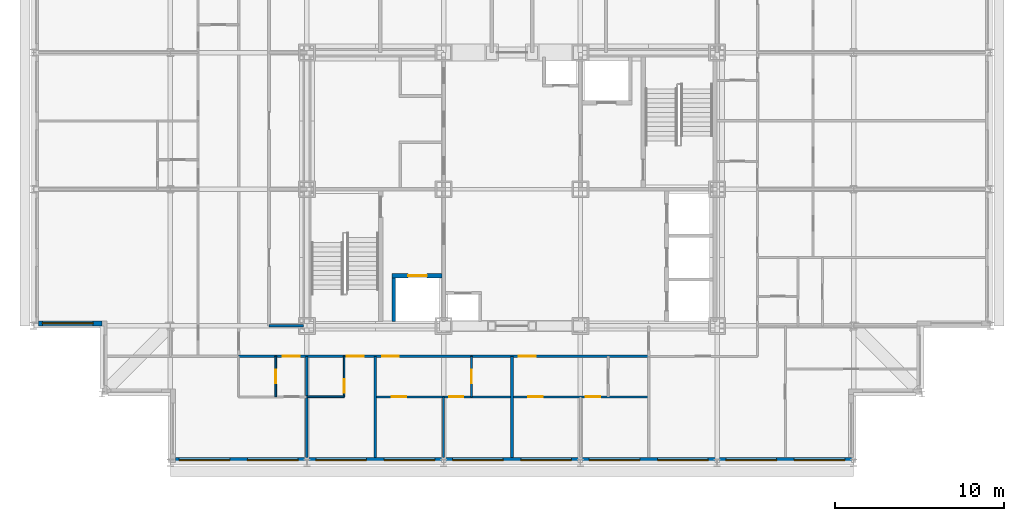
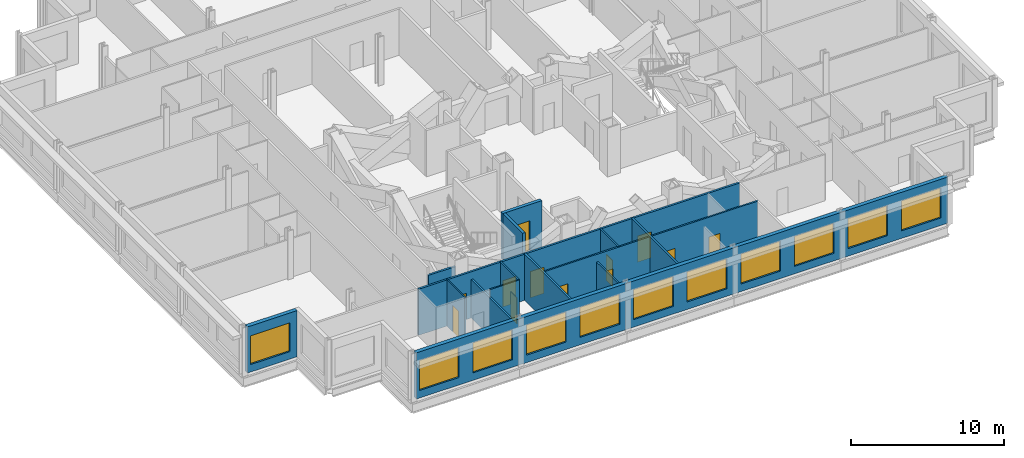
# One storey, part 7 of 15: 15 walls, 12 doors, 11 windows, 23 openings.
"""IFC4 building model written with IfcOpenShell, lengths in metres."""

from ifc_helpers import new_model, si_unit, direction, frame, frame_2d, origin, place, context, subcontext, project, spatial, rectangle, extrude, material, layer, layer_set, type_object, element, fill, save


model = new_model("IFC4")

# Units and contexts
model_context = context("Model", 3, precision=1e-05, world=origin(), true_north=direction((0.0, 1.0)))
body_context = subcontext(model_context, "Body", "Model", "MODEL_VIEW")
ifc_project = project(units=[si_unit("LENGTHUNIT", "METRE"), si_unit("AREAUNIT", "SQUARE_METRE"), si_unit("VOLUMEUNIT", "CUBIC_METRE"), si_unit("PLANEANGLEUNIT", "RADIAN"), si_unit("MASSUNIT", "GRAM", prefix="KILO")], contexts=[model_context])

# Site, building, storey
site_placement = place(None, origin())
site = spatial("IfcSite", under=ifc_project, at=site_placement, CompositionType="ELEMENT")
building_placement = place(site_placement, origin())
building = spatial("IfcBuilding", under=site, at=building_placement, Name="Kopane Lantern Tower", CompositionType="ELEMENT")
storey_placement = place(building_placement, frame((0.0, 0.0, 246.300048828125)))
storey = spatial("IfcBuildingStorey", under=building, at=storey_placement, Name="L63", CompositionType="ELEMENT", Elevation=246.300048828125)

# Wall, openings, doors
ifc_material_1 = material(Name="Gypsum board on steel studs", Category="steel")
ifc_layer_1 = layer(ifc_material_1, 0.1201171875)
ifc_layer_set_1 = layer_set([ifc_layer_1], Name="APARTMENT INTERNAL WALL 120")
wall_type_1 = type_object("IfcWallType", Name="APARTMENT INTERNAL WALL 120", PredefinedType="PARTITIONING", material=ifc_layer_set_1)
wall_1_placement = place(storey_placement, frame((20.25, 20.10009765625, 0.0), z_axis=(0.0, 0.0, 1.0), x_axis=(1.0, 0.0, 0.0)))
wall_1 = element("IfcWall", 1, at=wall_1_placement, inside=storey, type_object=wall_type_1, Name="Apartment Internal Wall 120 L63", PredefinedType="PARTITIONING", context=body_context, shape_type="SweptSolid", body=[
    extrude(rectangle(XDim=16.199951171875, YDim=0.1201171875, at=frame_2d((8.10009765625, 0.0))), origin(), (0.0, 0.0, 1.0), 3.68994140625),
])
opening_1_placement = place(wall_1_placement, frame((0.97509765625, 0.0, 0.0)))
opening_1 = element("IfcOpeningElement", 2, at=opening_1_placement, cuts=wall_1, Name="Opening L63-012", PredefinedType="OPENING", context=body_context, shape_type="SweptSolid", body=[
    extrude(rectangle(XDim=0.85009765625, YDim=2.10009765625, at=frame_2d((0.425048828125, 1.050048828125))), frame((0.0, 0.070068359375, 0.0), z_axis=(0.0, -1.0, 0.0), x_axis=(1.0, 0.0, 0.0)), (0.0, 0.0, 1.0), 0.14013671875),
])
opening_2_placement = place(wall_1_placement, frame((4.375, 0.0, 0.0)))
opening_2 = element("IfcOpeningElement", 3, at=opening_2_placement, cuts=wall_1, Name="Opening L63-013", PredefinedType="OPENING", context=body_context, shape_type="SweptSolid", body=[
    extrude(rectangle(XDim=0.85009765625, YDim=2.10009765625, at=frame_2d((0.425048828125, 1.050048828125))), frame((0.0, 0.070068359375, 0.0), z_axis=(0.0, -1.0, 0.0), x_axis=(1.0, 0.0, 0.0)), (0.0, 0.0, 1.0), 0.14013671875),
])
opening_3_placement = place(wall_1_placement, frame((9.074951171875, 0.0, 0.0)))
opening_3 = element("IfcOpeningElement", 4, at=opening_3_placement, cuts=wall_1, Name="Opening L63-016", PredefinedType="OPENING", context=body_context, shape_type="SweptSolid", body=[
    extrude(rectangle(XDim=0.85009765625, YDim=2.10009765625, at=frame_2d((0.425048828125, 1.050048828125))), frame((0.0, 0.070068359375, 0.0), z_axis=(0.0, -1.0, 0.0), x_axis=(1.0, 0.0, 0.0)), (0.0, 0.0, 1.0), 0.14013671875),
])
opening_4_placement = place(wall_1_placement, frame((12.47509765625, 0.0, 0.0)))
opening_4 = element("IfcOpeningElement", 5, at=opening_4_placement, cuts=wall_1, Name="Opening L63-017", PredefinedType="OPENING", context=body_context, shape_type="SweptSolid", body=[
    extrude(rectangle(XDim=0.85009765625, YDim=2.10009765625, at=frame_2d((0.425048828125, 1.050048828125))), frame((0.0, 0.070068359375, 0.0), z_axis=(0.0, -1.0, 0.0), x_axis=(1.0, 0.0, 0.0)), (0.0, 0.0, 1.0), 0.14013671875),
])
ifc_material_2 = material(Name="Timber door set", Category="wood")
door_type_1 = type_object("IfcDoorType", Name="DOOR D4 850x2100", OperationType="SINGLE_SWING_LEFT", PredefinedType="DOOR", material=ifc_material_2)
door_1_placement = place(opening_1_placement, origin())
door_1 = element("IfcDoor", 6, at=door_1_placement, inside=storey, type_object=door_type_1, Name="Door L63-012", OperationType="SINGLE_SWING_LEFT", OverallHeight=2.10009765625, OverallWidth=0.85009765625, PredefinedType="DOOR", context=body_context, shape_type="SweptSolid", body=[
    extrude(rectangle(XDim=0.85009765625, YDim=2.10009765625, at=frame_2d((0.425048828125, 1.050048828125))), frame((0.0, 0.02490234375, 0.0), z_axis=(0.0, -1.0, 0.0), x_axis=(1.0, 0.0, 0.0)), (0.0, 0.0, 1.0), 0.050048828125),
])
fill(opening_1, door_1)
door_2_placement = place(opening_2_placement, origin())
door_2 = element("IfcDoor", 7, at=door_2_placement, inside=storey, type_object=door_type_1, Name="Door L63-013", OperationType="SINGLE_SWING_RIGHT", OverallHeight=2.10009765625, OverallWidth=0.85009765625, PredefinedType="DOOR", context=body_context, shape_type="SweptSolid", body=[
    extrude(rectangle(XDim=0.85009765625, YDim=2.10009765625, at=frame_2d((0.425048828125, 1.050048828125))), frame((0.0, 0.02490234375, 0.0), z_axis=(0.0, -1.0, 0.0), x_axis=(1.0, 0.0, 0.0)), (0.0, 0.0, 1.0), 0.050048828125),
])
fill(opening_2, door_2)
door_3_placement = place(opening_3_placement, origin())
door_3 = element("IfcDoor", 8, at=door_3_placement, inside=storey, type_object=door_type_1, Name="Door L63-016", OperationType="SINGLE_SWING_LEFT", OverallHeight=2.10009765625, OverallWidth=0.85009765625, PredefinedType="DOOR", context=body_context, shape_type="SweptSolid", body=[
    extrude(rectangle(XDim=0.85009765625, YDim=2.10009765625, at=frame_2d((0.425048828125, 1.050048828125))), frame((0.0, 0.02490234375, 0.0), z_axis=(0.0, -1.0, 0.0), x_axis=(1.0, 0.0, 0.0)), (0.0, 0.0, 1.0), 0.050048828125),
])
fill(opening_3, door_3)
door_4_placement = place(opening_4_placement, origin())
door_4 = element("IfcDoor", 9, at=door_4_placement, inside=storey, type_object=door_type_1, Name="Door L63-017", OperationType="SINGLE_SWING_RIGHT", OverallHeight=2.10009765625, OverallWidth=0.85009765625, PredefinedType="DOOR", context=body_context, shape_type="SweptSolid", body=[
    extrude(rectangle(XDim=0.85009765625, YDim=2.10009765625, at=frame_2d((0.425048828125, 1.050048828125))), frame((0.0, 0.02490234375, 0.0), z_axis=(0.0, -1.0, 0.0), x_axis=(1.0, 0.0, 0.0)), (0.0, 0.0, 1.0), 0.050048828125),
])
fill(opening_4, door_4)

# Walls
wall_2_placement = place(storey_placement, frame((24.300048828125, 20.10009765625, 0.0), z_axis=(0.0, 0.0, 1.0), x_axis=(0.0, -1.0, 0.0)))
element("IfcWall", 10, at=wall_2_placement, inside=storey, type_object=wall_type_1, Name="Apartment Internal Wall 120 L63", PredefinedType="PARTITIONING", context=body_context, shape_type="SweptSolid", body=[
    extrude(rectangle(XDim=3.60009765625, YDim=0.1201171875, at=frame_2d((1.800048828125, 0.0))), origin(), (0.0, 0.0, 1.0), 3.07763671875),
])
ifc_material_3 = material(Name="Moisture-resistant board on steel studs", Category="steel")
ifc_layer_2 = layer(ifc_material_3, 0.10009765625)
ifc_layer_set_2 = layer_set([ifc_layer_2], Name="BATHROOM WALL 100")
wall_type_2 = type_object("IfcWallType", Name="BATHROOM WALL 100", PredefinedType="PARTITIONING", material=ifc_layer_set_2)
wall_3_placement = place(storey_placement, frame((16.199951171875, 20.10009765625, 0.0), z_axis=(0.0, 0.0, 1.0), x_axis=(1.0, 0.0, 0.0)))
element("IfcWall", 11, at=wall_3_placement, inside=storey, type_object=wall_type_2, Name="Bathroom Wall 100 L63", PredefinedType="PARTITIONING", context=body_context, shape_type="SweptSolid", body=[
    extrude(rectangle(XDim=2.199951171875, YDim=0.10009765625, at=frame_2d((1.10009765625, 0.0))), origin(), (0.0, 0.0, 1.0), 3.68994140625),
])

# Wall, opening, door
wall_4_placement = place(storey_placement, frame((18.39990234375, 22.5, 0.0), z_axis=(0.0, 0.0, 1.0), x_axis=(0.0, -1.0, 0.0)))
wall_4 = element("IfcWall", 12, at=wall_4_placement, inside=storey, type_object=wall_type_2, Name="Bathroom Wall 100 L63", PredefinedType="PARTITIONING", context=body_context, shape_type="SweptSolid", body=[
    extrude(rectangle(XDim=2.39990234375, YDim=0.10009765625, at=frame_2d((1.199951171875, 0.0))), origin(), (0.0, 0.0, 1.0), 3.68994140625),
])
opening_5_placement = place(wall_4_placement, frame((1.35009765625, 0.0, 0.0)))
opening_5 = element("IfcOpeningElement", 13, at=opening_5_placement, cuts=wall_4, Name="Opening L63-008", PredefinedType="OPENING", context=body_context, shape_type="SweptSolid", body=[
    extrude(rectangle(XDim=0.800048828125, YDim=2.10009765625, at=frame_2d((0.39990234375, 1.050048828125))), frame((0.0, 0.06005859375, 0.0), z_axis=(0.0, -1.0, 0.0), x_axis=(1.0, 0.0, 0.0)), (0.0, 0.0, 1.0), 0.1201171875),
])
ifc_material_4 = material(Name="Timber door set", Category="wood")
door_type_2 = type_object("IfcDoorType", Name="DOOR D2 800x2100", OperationType="SINGLE_SWING_LEFT", PredefinedType="DOOR", material=ifc_material_4)
door_5_placement = place(opening_5_placement, origin())
door_5 = element("IfcDoor", 14, at=door_5_placement, inside=storey, type_object=door_type_2, Name="Door L63-008", OperationType="SINGLE_SWING_LEFT", OverallHeight=2.10009765625, OverallWidth=0.800048828125, PredefinedType="DOOR", context=body_context, shape_type="SweptSolid", body=[
    extrude(rectangle(XDim=0.800048828125, YDim=2.10009765625, at=frame_2d((0.39990234375, 1.050048828125))), frame((0.0, 0.02490234375, 0.0), z_axis=(0.0, -1.0, 0.0), x_axis=(1.0, 0.0, 0.0)), (0.0, 0.0, 1.0), 0.050048828125),
])
fill(opening_5, door_5)

wall_5_placement = place(storey_placement, frame((25.949951171875, 22.5, 0.0), z_axis=(0.0, 0.0, 1.0), x_axis=(0.0, -1.0, 0.0)))
wall_5 = element("IfcWall", 15, at=wall_5_placement, inside=storey, type_object=wall_type_2, Name="Bathroom Wall 100 L63", PredefinedType="PARTITIONING", context=body_context, shape_type="SweptSolid", body=[
    extrude(rectangle(XDim=2.39990234375, YDim=0.10009765625, at=frame_2d((1.199951171875, 0.0))), origin(), (0.0, 0.0, 1.0), 3.68994140625),
])
opening_6_placement = place(wall_5_placement, frame((0.800048828125, 0.0, 0.0)))
opening_6 = element("IfcOpeningElement", 16, at=opening_6_placement, cuts=wall_5, Name="Opening L63-010", PredefinedType="OPENING", context=body_context, shape_type="SweptSolid", body=[
    extrude(rectangle(XDim=0.800048828125, YDim=2.10009765625, at=frame_2d((0.39990234375, 1.050048828125))), frame((0.0, 0.06005859375, 0.0), z_axis=(0.0, -1.0, 0.0), x_axis=(1.0, 0.0, 0.0)), (0.0, 0.0, 1.0), 0.1201171875),
])
door_6_placement = place(opening_6_placement, origin())
door_6 = element("IfcDoor", 17, at=door_6_placement, inside=storey, type_object=door_type_2, Name="Door L63-010", OperationType="SINGLE_SWING_LEFT", OverallHeight=2.10009765625, OverallWidth=0.800048828125, PredefinedType="DOOR", context=body_context, shape_type="SweptSolid", body=[
    extrude(rectangle(XDim=0.800048828125, YDim=2.10009765625, at=frame_2d((0.39990234375, 1.050048828125))), frame((0.0, 0.02490234375, 0.0), z_axis=(0.0, -1.0, 0.0), x_axis=(1.0, 0.0, 0.0)), (0.0, 0.0, 1.0), 0.050048828125),
])
fill(opening_6, door_6)

wall_6_placement = place(storey_placement, frame((14.35009765625, 22.5, 0.0), z_axis=(0.0, 0.0, 1.0), x_axis=(0.0, -1.0, 0.0)))
wall_6 = element("IfcWall", 18, at=wall_6_placement, inside=storey, type_object=wall_type_2, Name="Bathroom Wall 100 L63", PredefinedType="PARTITIONING", context=body_context, shape_type="SweptSolid", body=[
    extrude(rectangle(XDim=2.39990234375, YDim=0.10009765625, at=frame_2d((1.199951171875, 0.0))), origin(), (0.0, 0.0, 1.0), 3.68994140625),
])
opening_7_placement = place(wall_6_placement, frame((0.800048828125, 0.0, 0.0)))
opening_7 = element("IfcOpeningElement", 19, at=opening_7_placement, cuts=wall_6, Name="Opening L63-036", PredefinedType="OPENING", context=body_context, shape_type="SweptSolid", body=[
    extrude(rectangle(XDim=0.800048828125, YDim=2.10009765625, at=frame_2d((0.39990234375, 1.050048828125))), frame((0.0, 0.06005859375, 0.0), z_axis=(0.0, -1.0, 0.0), x_axis=(1.0, 0.0, 0.0)), (0.0, 0.0, 1.0), 0.1201171875),
])
door_7_placement = place(opening_7_placement, origin())
door_7 = element("IfcDoor", 20, at=door_7_placement, inside=storey, type_object=door_type_2, Name="Door L63-036", OperationType="SINGLE_SWING_RIGHT", OverallHeight=2.10009765625, OverallWidth=0.800048828125, PredefinedType="DOOR", context=body_context, shape_type="SweptSolid", body=[
    extrude(rectangle(XDim=0.800048828125, YDim=2.10009765625, at=frame_2d((0.39990234375, 1.050048828125))), frame((0.0, 0.02490234375, 0.0), z_axis=(0.0, -1.0, 0.0), x_axis=(1.0, 0.0, 0.0)), (0.0, 0.0, 1.0), 0.050048828125),
])
fill(opening_7, door_7)

ifc_material_5 = material(Name="Gypsum shaft wall EI 120", Category="gypsum")
ifc_layer_3 = layer(ifc_material_5, 0.25)
ifc_layer_set_3 = layer_set([ifc_layer_3], Name="CORE SHAFT WALL 250 EI 120")
wall_type_3 = type_object("IfcWallType", Name="CORE SHAFT WALL 250 EI 120", PredefinedType="SOLIDWALL", material=ifc_layer_set_3)
wall_7_placement = place(storey_placement, frame((21.25, 27.27490234375, 0.0), z_axis=(0.0, 0.0, 1.0), x_axis=(1.0, 0.0, 0.0)))
wall_7 = element("IfcWall", 21, at=wall_7_placement, inside=storey, type_object=wall_type_3, Name="Core shaft wall L63 YLF1", PredefinedType="SOLIDWALL", context=body_context, shape_type="SweptSolid", body=[
    extrude(rectangle(XDim=2.949951171875, YDim=0.25, at=frame_2d((1.47509765625, 0.0))), origin(), (0.0, 0.0, 1.0), 3.68994140625),
])
opening_8_placement = place(wall_7_placement, frame((0.949951171875, 0.0, 0.0)))
opening_8 = element("IfcOpeningElement", 22, at=opening_8_placement, cuts=wall_7, Name="Opening 63.LD-LF1", PredefinedType="OPENING", context=body_context, shape_type="SweptSolid", body=[
    extrude(rectangle(XDim=1.10009765625, YDim=2.39990234375, at=frame_2d((0.550048828125, 1.199951171875))), frame((0.0, 0.135009765625, 0.0), z_axis=(0.0, -1.0, 0.0), x_axis=(1.0, 0.0, 0.0)), (0.0, 0.0, 1.0), 0.27001953125),
])
ifc_material_6 = material(Name="Steel door set", Category="steel")
door_type_3 = type_object("IfcDoorType", Name="LIFT LANDING DOOR 1100x2400 FD60", OperationType="DOUBLE_DOOR_SLIDING", PredefinedType="DOOR", material=ifc_material_6)
door_8_placement = place(opening_8_placement, origin())
door_8 = element("IfcDoor", 23, at=door_8_placement, inside=storey, type_object=door_type_3, Name="Landing door LF1 L63", OperationType="DOUBLE_DOOR_SLIDING", OverallHeight=2.39990234375, OverallWidth=1.10009765625, PredefinedType="DOOR", context=body_context, shape_type="SweptSolid", body=[
    extrude(rectangle(XDim=1.10009765625, YDim=2.39990234375, at=frame_2d((0.550048828125, 1.199951171875))), frame((0.0, 0.02490234375, 0.0), z_axis=(0.0, -1.0, 0.0), x_axis=(1.0, 0.0, 0.0)), (0.0, 0.0, 1.0), 0.050048828125),
])
fill(opening_8, door_8)

# Wall, openings, doors
ifc_material_7 = material(Name="Gypsum board on steel studs", Category="steel")
ifc_layer_4 = layer(ifc_material_7, 0.14990234375)
ifc_layer_set_4 = layer_set([ifc_layer_4], Name="CORRIDOR WALL 150 EI 60")
wall_type_4 = type_object("IfcWallType", Name="CORRIDOR WALL 150 EI 60", PredefinedType="PARTITIONING", material=ifc_layer_set_4)
wall_8_placement = place(storey_placement, frame((12.14990234375, 22.5, 0.0), z_axis=(0.0, 0.0, 1.0), x_axis=(1.0, 0.0, 0.0)))
wall_8 = element("IfcWall", 24, at=wall_8_placement, inside=storey, type_object=wall_type_4, Name="Corridor Wall 150 Ei 60 L63", PredefinedType="PARTITIONING", context=body_context, shape_type="SweptSolid", body=[
    extrude(rectangle(XDim=24.300048828125, YDim=0.14990234375, at=frame_2d((12.14990234375, 0.0))), origin(), (0.0, 0.0, 1.0), 3.68994140625),
])
opening_9_placement = place(wall_8_placement, frame((6.39990234375, 0.0, 0.0)))
opening_9 = element("IfcOpeningElement", 25, at=opening_9_placement, cuts=wall_8, Name="Opening L63-009", PredefinedType="OPENING", context=body_context, shape_type="SweptSolid", body=[
    extrude(rectangle(XDim=1.0, YDim=2.10009765625, at=frame_2d((0.5, 1.050048828125))), frame((0.0, 0.0849609375, 0.0), z_axis=(0.0, -1.0, 0.0), x_axis=(1.0, 0.0, 0.0)), (0.0, 0.0, 1.0), 0.169921875),
])
opening_10_placement = place(wall_8_placement, frame((8.5, 0.0, 0.0)))
opening_10 = element("IfcOpeningElement", 26, at=opening_10_placement, cuts=wall_8, Name="Opening L63-011", PredefinedType="OPENING", context=body_context, shape_type="SweptSolid", body=[
    extrude(rectangle(XDim=1.0, YDim=2.10009765625, at=frame_2d((0.5, 1.050048828125))), frame((0.0, 0.0849609375, 0.0), z_axis=(0.0, -1.0, 0.0), x_axis=(1.0, 0.0, 0.0)), (0.0, 0.0, 1.0), 0.169921875),
])
opening_11_placement = place(wall_8_placement, frame((16.60009765625, 0.0, 0.0)))
opening_11 = element("IfcOpeningElement", 27, at=opening_11_placement, cuts=wall_8, Name="Opening L63-015", PredefinedType="OPENING", context=body_context, shape_type="SweptSolid", body=[
    extrude(rectangle(XDim=1.0, YDim=2.10009765625, at=frame_2d((0.5, 1.050048828125))), frame((0.0, 0.0849609375, 0.0), z_axis=(0.0, -1.0, 0.0), x_axis=(1.0, 0.0, 0.0)), (0.0, 0.0, 1.0), 0.169921875),
])
opening_12_placement = place(wall_8_placement, frame((2.625, 0.0, 0.0)))
opening_12 = element("IfcOpeningElement", 28, at=opening_12_placement, cuts=wall_8, Name="Opening L63-037", PredefinedType="OPENING", context=body_context, shape_type="SweptSolid", body=[
    extrude(rectangle(XDim=1.0, YDim=2.10009765625, at=frame_2d((0.5, 1.050048828125))), frame((0.0, 0.0849609375, 0.0), z_axis=(0.0, -1.0, 0.0), x_axis=(1.0, 0.0, 0.0)), (0.0, 0.0, 1.0), 0.169921875),
])
ifc_material_8 = material(Name="Steel door set", Category="steel")
door_type_4 = type_object("IfcDoorType", Name="DOOR D3 1000x2100 FD30S", OperationType="SINGLE_SWING_LEFT", PredefinedType="DOOR", material=ifc_material_8)
door_9_placement = place(opening_9_placement, origin())
door_9 = element("IfcDoor", 29, at=door_9_placement, inside=storey, type_object=door_type_4, Name="Door L63-009", OperationType="SINGLE_SWING_RIGHT", OverallHeight=2.10009765625, OverallWidth=1.0, PredefinedType="DOOR", context=body_context, shape_type="SweptSolid", body=[
    extrude(rectangle(XDim=1.0, YDim=2.10009765625, at=frame_2d((0.5, 1.050048828125))), frame((0.0, 0.02490234375, 0.0), z_axis=(0.0, -1.0, 0.0), x_axis=(1.0, 0.0, 0.0)), (0.0, 0.0, 1.0), 0.050048828125),
])
fill(opening_9, door_9)
door_10_placement = place(opening_10_placement, origin())
door_10 = element("IfcDoor", 30, at=door_10_placement, inside=storey, type_object=door_type_4, Name="Door L63-011", OperationType="SINGLE_SWING_RIGHT", OverallHeight=2.10009765625, OverallWidth=1.0, PredefinedType="DOOR", context=body_context, shape_type="SweptSolid", body=[
    extrude(rectangle(XDim=1.0, YDim=2.10009765625, at=frame_2d((0.5, 1.050048828125))), frame((0.0, 0.02490234375, 0.0), z_axis=(0.0, -1.0, 0.0), x_axis=(1.0, 0.0, 0.0)), (0.0, 0.0, 1.0), 0.050048828125),
])
fill(opening_10, door_10)
door_11_placement = place(opening_11_placement, origin())
door_11 = element("IfcDoor", 31, at=door_11_placement, inside=storey, type_object=door_type_4, Name="Door L63-015", OperationType="SINGLE_SWING_RIGHT", OverallHeight=2.10009765625, OverallWidth=1.0, PredefinedType="DOOR", context=body_context, shape_type="SweptSolid", body=[
    extrude(rectangle(XDim=1.0, YDim=2.10009765625, at=frame_2d((0.5, 1.050048828125))), frame((0.0, 0.02490234375, 0.0), z_axis=(0.0, -1.0, 0.0), x_axis=(1.0, 0.0, 0.0)), (0.0, 0.0, 1.0), 0.050048828125),
])
fill(opening_11, door_11)
door_12_placement = place(opening_12_placement, origin())
door_12 = element("IfcDoor", 32, at=door_12_placement, inside=storey, type_object=door_type_4, Name="Door L63-037", OperationType="SINGLE_SWING_RIGHT", OverallHeight=2.10009765625, OverallWidth=1.0, PredefinedType="DOOR", context=body_context, shape_type="SweptSolid", body=[
    extrude(rectangle(XDim=1.0, YDim=2.10009765625, at=frame_2d((0.5, 1.050048828125))), frame((0.0, 0.02490234375, 0.0), z_axis=(0.0, -1.0, 0.0), x_axis=(1.0, 0.0, 0.0)), (0.0, 0.0, 1.0), 0.050048828125),
])
fill(opening_12, door_12)

# Walls
wall_9_placement = place(storey_placement, frame((16.0, 24.300048828125, 0.0), z_axis=(0.0, 0.0, 1.0), x_axis=(-1.0, 0.0, 0.0)))
element("IfcWall", 33, at=wall_9_placement, inside=storey, type_object=wall_type_4, Name="Corridor Wall 150 Ei 60 L63", PredefinedType="PARTITIONING", context=body_context, shape_type="SweptSolid", body=[
    extrude(rectangle(XDim=2.050048828125, YDim=0.14990234375, at=frame_2d((1.02490234375, 0.0))), origin(), (0.0, 0.0, 1.0), 3.07763671875),
])
ifc_material_9 = material(Name="Gypsum board on steel studs", Category="steel")
ifc_layer_5 = layer(ifc_material_9, 0.14990234375)
ifc_layer_set_5 = layer_set([ifc_layer_5], Name="DEMISING WALL 150 EI 60")
wall_type_5 = type_object("IfcWallType", Name="DEMISING WALL 150 EI 60", PredefinedType="PARTITIONING", material=ifc_layer_set_5)
for number, where, z_axis, x_axis, name in (
    (34, (20.25, 22.5, 0.0), (0.0, 0.0, 1.0), (0.0, -1.0, 0.0), "Demising Wall 150 Ei 60 L63"),
    (35, (28.35009765625, 22.5, 0.0), (0.0, 0.0, 1.0), (0.0, -1.0, 0.0), "Demising Wall 150 Ei 60 L63"),
):
    element("IfcWall", number, at=place(storey_placement, frame(where, z_axis=z_axis, x_axis=x_axis)), inside=storey, type_object=wall_type_5, Name=name, PredefinedType="PARTITIONING", context=body_context, shape_type="SweptSolid", body=[
        extrude(rectangle(XDim=6.0, YDim=0.14990234375, at=frame_2d((3.0, 0.0))), origin(), (0.0, 0.0, 1.0), 3.68994140625),
    ])
wall_10_placement = place(storey_placement, frame((16.199951171875, 22.5, 0.0), z_axis=(0.0, 0.0, 1.0), x_axis=(0.0, -1.0, 0.0)))
element("IfcWall", 36, at=wall_10_placement, inside=storey, type_object=wall_type_5, Name="Demising Wall 150 Ei 60 L63", PredefinedType="PARTITIONING", context=body_context, shape_type="SweptSolid", body=[
    extrude(rectangle(XDim=6.0, YDim=0.14990234375, at=frame_2d((3.0, 0.0))), origin(), (0.0, 0.0, 1.0), 3.07763671875),
])

# Wall, openings, windows
ifc_material_10 = material(Name="Terracotta rainscreen on light steel framing", Category="masonry")
ifc_layer_6 = layer(ifc_material_10, 0.300048828125)
ifc_layer_set_6 = layer_set([ifc_layer_6], Name="EXTERNAL WALL EW1 300 TERRACOTTA")
wall_type_6 = type_object("IfcWallType", Name="EXTERNAL WALL EW1 300 TERRACOTTA", PredefinedType="SOLIDWALL", material=ifc_layer_set_6)
wall_11_placement = place(storey_placement, frame((8.39990234375, 16.35009765625, 0.0), z_axis=(0.0, 0.0, 1.0), x_axis=(1.0, 0.0, 0.0)))
wall_11 = element("IfcWall", 37, at=wall_11_placement, inside=storey, type_object=wall_type_6, Name="External wall S L63", PredefinedType="SOLIDWALL", context=body_context, shape_type="SweptSolid", body=[
    extrude(rectangle(XDim=40.2001953125, YDim=0.300048828125, at=frame_2d((20.10009765625, 0.0))), origin(), (0.0, 0.0, 1.0), 3.68994140625),
])
opening_13_placement = place(wall_11_placement, frame((0.22509765625, 0.0, 0.60009765625)))
opening_13 = element("IfcOpeningElement", 38, at=opening_13_placement, cuts=wall_11, Name="Opening WR300240", PredefinedType="OPENING", context=body_context, shape_type="SweptSolid", body=[
    extrude(rectangle(XDim=3.0, YDim=2.39990234375, at=frame_2d((1.5, 1.199951171875))), frame((0.0, 0.159912109375, 0.0), z_axis=(0.0, -1.0, 0.0), x_axis=(1.0, 0.0, 0.0)), (0.0, 0.0, 1.0), 0.320068359375),
])
opening_14_placement = place(wall_11_placement, frame((4.27490234375, 0.0, 0.60009765625)))
opening_14 = element("IfcOpeningElement", 39, at=opening_14_placement, cuts=wall_11, Name="Opening WR300240", PredefinedType="OPENING", context=body_context, shape_type="SweptSolid", body=[
    extrude(rectangle(XDim=3.0, YDim=2.39990234375, at=frame_2d((1.5, 1.199951171875))), frame((0.0, 0.159912109375, 0.0), z_axis=(0.0, -1.0, 0.0), x_axis=(1.0, 0.0, 0.0)), (0.0, 0.0, 1.0), 0.320068359375),
])
opening_15_placement = place(wall_11_placement, frame((8.324951171875, 0.0, 0.60009765625)))
opening_15 = element("IfcOpeningElement", 40, at=opening_15_placement, cuts=wall_11, Name="Opening WR300240", PredefinedType="OPENING", context=body_context, shape_type="SweptSolid", body=[
    extrude(rectangle(XDim=3.0, YDim=2.39990234375, at=frame_2d((1.5, 1.199951171875))), frame((0.0, 0.159912109375, 0.0), z_axis=(0.0, -1.0, 0.0), x_axis=(1.0, 0.0, 0.0)), (0.0, 0.0, 1.0), 0.320068359375),
])
opening_16_placement = place(wall_11_placement, frame((12.375, 0.0, 0.60009765625)))
opening_16 = element("IfcOpeningElement", 41, at=opening_16_placement, cuts=wall_11, Name="Opening WR300240", PredefinedType="OPENING", context=body_context, shape_type="SweptSolid", body=[
    extrude(rectangle(XDim=3.0, YDim=2.39990234375, at=frame_2d((1.5, 1.199951171875))), frame((0.0, 0.159912109375, 0.0), z_axis=(0.0, -1.0, 0.0), x_axis=(1.0, 0.0, 0.0)), (0.0, 0.0, 1.0), 0.320068359375),
])
opening_17_placement = place(wall_11_placement, frame((16.425048828125, 0.0, 0.60009765625)))
opening_17 = element("IfcOpeningElement", 42, at=opening_17_placement, cuts=wall_11, Name="Opening WR300240", PredefinedType="OPENING", context=body_context, shape_type="SweptSolid", body=[
    extrude(rectangle(XDim=3.0, YDim=2.39990234375, at=frame_2d((1.5, 1.199951171875))), frame((0.0, 0.159912109375, 0.0), z_axis=(0.0, -1.0, 0.0), x_axis=(1.0, 0.0, 0.0)), (0.0, 0.0, 1.0), 0.320068359375),
])
opening_18_placement = place(wall_11_placement, frame((20.47509765625, 0.0, 0.60009765625)))
opening_18 = element("IfcOpeningElement", 43, at=opening_18_placement, cuts=wall_11, Name="Opening WR300240", PredefinedType="OPENING", context=body_context, shape_type="SweptSolid", body=[
    extrude(rectangle(XDim=3.0, YDim=2.39990234375, at=frame_2d((1.5, 1.199951171875))), frame((0.0, 0.159912109375, 0.0), z_axis=(0.0, -1.0, 0.0), x_axis=(1.0, 0.0, 0.0)), (0.0, 0.0, 1.0), 0.320068359375),
])
opening_19_placement = place(wall_11_placement, frame((24.52490234375, 0.0, 0.60009765625)))
opening_19 = element("IfcOpeningElement", 44, at=opening_19_placement, cuts=wall_11, Name="Opening WR300240", PredefinedType="OPENING", context=body_context, shape_type="SweptSolid", body=[
    extrude(rectangle(XDim=3.0, YDim=2.39990234375, at=frame_2d((1.5, 1.199951171875))), frame((0.0, 0.159912109375, 0.0), z_axis=(0.0, -1.0, 0.0), x_axis=(1.0, 0.0, 0.0)), (0.0, 0.0, 1.0), 0.320068359375),
])
opening_20_placement = place(wall_11_placement, frame((28.574951171875, 0.0, 0.60009765625)))
opening_20 = element("IfcOpeningElement", 45, at=opening_20_placement, cuts=wall_11, Name="Opening WR300240", PredefinedType="OPENING", context=body_context, shape_type="SweptSolid", body=[
    extrude(rectangle(XDim=3.0, YDim=2.39990234375, at=frame_2d((1.5, 1.199951171875))), frame((0.0, 0.159912109375, 0.0), z_axis=(0.0, -1.0, 0.0), x_axis=(1.0, 0.0, 0.0)), (0.0, 0.0, 1.0), 0.320068359375),
])
opening_21_placement = place(wall_11_placement, frame((32.625, 0.0, 0.60009765625)))
opening_21 = element("IfcOpeningElement", 46, at=opening_21_placement, cuts=wall_11, Name="Opening WR300240", PredefinedType="OPENING", context=body_context, shape_type="SweptSolid", body=[
    extrude(rectangle(XDim=3.0, YDim=2.39990234375, at=frame_2d((1.5, 1.199951171875))), frame((0.0, 0.159912109375, 0.0), z_axis=(0.0, -1.0, 0.0), x_axis=(1.0, 0.0, 0.0)), (0.0, 0.0, 1.0), 0.320068359375),
])
opening_22_placement = place(wall_11_placement, frame((36.675048828125, 0.0, 0.60009765625)))
opening_22 = element("IfcOpeningElement", 47, at=opening_22_placement, cuts=wall_11, Name="Opening WR300240", PredefinedType="OPENING", context=body_context, shape_type="SweptSolid", body=[
    extrude(rectangle(XDim=3.0, YDim=2.39990234375, at=frame_2d((1.5, 1.199951171875))), frame((0.0, 0.159912109375, 0.0), z_axis=(0.0, -1.0, 0.0), x_axis=(1.0, 0.0, 0.0)), (0.0, 0.0, 1.0), 0.320068359375),
])
ifc_material_11 = material(Name="Aluminium and clear glass", Category="aluminium")
window_type_1 = type_object("IfcWindowType", Name="RIBBON WINDOW WR300240 3000x2400", PartitioningType="SINGLE_PANEL", PredefinedType="WINDOW", material=ifc_material_11)
window_1_placement = place(opening_13_placement, origin())
window_1 = element("IfcWindow", 48, at=window_1_placement, inside=storey, type_object=window_type_1, Name="Window S L63", OverallHeight=2.39990234375, OverallWidth=3.0, PartitioningType="SINGLE_PANEL", PredefinedType="WINDOW", context=body_context, shape_type="SweptSolid", body=[
    extrude(rectangle(XDim=3.0, YDim=2.39990234375, at=frame_2d((1.5, 1.199951171875))), frame((0.0, 0.030029296875, 0.0), z_axis=(0.0, -1.0, 0.0), x_axis=(1.0, 0.0, 0.0)), (0.0, 0.0, 1.0), 0.06005859375),
])
fill(opening_13, window_1)
window_2_placement = place(opening_14_placement, origin())
window_2 = element("IfcWindow", 49, at=window_2_placement, inside=storey, type_object=window_type_1, Name="Window S L63", OverallHeight=2.39990234375, OverallWidth=3.0, PartitioningType="SINGLE_PANEL", PredefinedType="WINDOW", context=body_context, shape_type="SweptSolid", body=[
    extrude(rectangle(XDim=3.0, YDim=2.39990234375, at=frame_2d((1.5, 1.199951171875))), frame((0.0, 0.030029296875, 0.0), z_axis=(0.0, -1.0, 0.0), x_axis=(1.0, 0.0, 0.0)), (0.0, 0.0, 1.0), 0.06005859375),
])
fill(opening_14, window_2)
window_3_placement = place(opening_15_placement, origin())
window_3 = element("IfcWindow", 50, at=window_3_placement, inside=storey, type_object=window_type_1, Name="Window S L63", OverallHeight=2.39990234375, OverallWidth=3.0, PartitioningType="SINGLE_PANEL", PredefinedType="WINDOW", context=body_context, shape_type="SweptSolid", body=[
    extrude(rectangle(XDim=3.0, YDim=2.39990234375, at=frame_2d((1.5, 1.199951171875))), frame((0.0, 0.030029296875, 0.0), z_axis=(0.0, -1.0, 0.0), x_axis=(1.0, 0.0, 0.0)), (0.0, 0.0, 1.0), 0.06005859375),
])
fill(opening_15, window_3)
window_4_placement = place(opening_16_placement, origin())
window_4 = element("IfcWindow", 51, at=window_4_placement, inside=storey, type_object=window_type_1, Name="Window S L63", OverallHeight=2.39990234375, OverallWidth=3.0, PartitioningType="SINGLE_PANEL", PredefinedType="WINDOW", context=body_context, shape_type="SweptSolid", body=[
    extrude(rectangle(XDim=3.0, YDim=2.39990234375, at=frame_2d((1.5, 1.199951171875))), frame((0.0, 0.030029296875, 0.0), z_axis=(0.0, -1.0, 0.0), x_axis=(1.0, 0.0, 0.0)), (0.0, 0.0, 1.0), 0.06005859375),
])
fill(opening_16, window_4)
window_5_placement = place(opening_17_placement, origin())
window_5 = element("IfcWindow", 52, at=window_5_placement, inside=storey, type_object=window_type_1, Name="Window S L63", OverallHeight=2.39990234375, OverallWidth=3.0, PartitioningType="SINGLE_PANEL", PredefinedType="WINDOW", context=body_context, shape_type="SweptSolid", body=[
    extrude(rectangle(XDim=3.0, YDim=2.39990234375, at=frame_2d((1.5, 1.199951171875))), frame((0.0, 0.030029296875, 0.0), z_axis=(0.0, -1.0, 0.0), x_axis=(1.0, 0.0, 0.0)), (0.0, 0.0, 1.0), 0.06005859375),
])
fill(opening_17, window_5)
window_6_placement = place(opening_18_placement, origin())
window_6 = element("IfcWindow", 53, at=window_6_placement, inside=storey, type_object=window_type_1, Name="Window S L63", OverallHeight=2.39990234375, OverallWidth=3.0, PartitioningType="SINGLE_PANEL", PredefinedType="WINDOW", context=body_context, shape_type="SweptSolid", body=[
    extrude(rectangle(XDim=3.0, YDim=2.39990234375, at=frame_2d((1.5, 1.199951171875))), frame((0.0, 0.030029296875, 0.0), z_axis=(0.0, -1.0, 0.0), x_axis=(1.0, 0.0, 0.0)), (0.0, 0.0, 1.0), 0.06005859375),
])
fill(opening_18, window_6)
window_7_placement = place(opening_19_placement, origin())
window_7 = element("IfcWindow", 54, at=window_7_placement, inside=storey, type_object=window_type_1, Name="Window S L63", OverallHeight=2.39990234375, OverallWidth=3.0, PartitioningType="SINGLE_PANEL", PredefinedType="WINDOW", context=body_context, shape_type="SweptSolid", body=[
    extrude(rectangle(XDim=3.0, YDim=2.39990234375, at=frame_2d((1.5, 1.199951171875))), frame((0.0, 0.030029296875, 0.0), z_axis=(0.0, -1.0, 0.0), x_axis=(1.0, 0.0, 0.0)), (0.0, 0.0, 1.0), 0.06005859375),
])
fill(opening_19, window_7)
window_8_placement = place(opening_20_placement, origin())
window_8 = element("IfcWindow", 55, at=window_8_placement, inside=storey, type_object=window_type_1, Name="Window S L63", OverallHeight=2.39990234375, OverallWidth=3.0, PartitioningType="SINGLE_PANEL", PredefinedType="WINDOW", context=body_context, shape_type="SweptSolid", body=[
    extrude(rectangle(XDim=3.0, YDim=2.39990234375, at=frame_2d((1.5, 1.199951171875))), frame((0.0, 0.030029296875, 0.0), z_axis=(0.0, -1.0, 0.0), x_axis=(1.0, 0.0, 0.0)), (0.0, 0.0, 1.0), 0.06005859375),
])
fill(opening_20, window_8)
window_9_placement = place(opening_21_placement, origin())
window_9 = element("IfcWindow", 56, at=window_9_placement, inside=storey, type_object=window_type_1, Name="Window S L63", OverallHeight=2.39990234375, OverallWidth=3.0, PartitioningType="SINGLE_PANEL", PredefinedType="WINDOW", context=body_context, shape_type="SweptSolid", body=[
    extrude(rectangle(XDim=3.0, YDim=2.39990234375, at=frame_2d((1.5, 1.199951171875))), frame((0.0, 0.030029296875, 0.0), z_axis=(0.0, -1.0, 0.0), x_axis=(1.0, 0.0, 0.0)), (0.0, 0.0, 1.0), 0.06005859375),
])
fill(opening_21, window_9)
window_10_placement = place(opening_22_placement, origin())
window_10 = element("IfcWindow", 57, at=window_10_placement, inside=storey, type_object=window_type_1, Name="Window S L63", OverallHeight=2.39990234375, OverallWidth=3.0, PartitioningType="SINGLE_PANEL", PredefinedType="WINDOW", context=body_context, shape_type="SweptSolid", body=[
    extrude(rectangle(XDim=3.0, YDim=2.39990234375, at=frame_2d((1.5, 1.199951171875))), frame((0.0, 0.030029296875, 0.0), z_axis=(0.0, -1.0, 0.0), x_axis=(1.0, 0.0, 0.0)), (0.0, 0.0, 1.0), 0.06005859375),
])
fill(opening_22, window_10)

# Wall, opening, window
wall_12_placement = place(storey_placement, frame((0.300048828125, 24.449951171875, 0.0), z_axis=(0.0, 0.0, 1.0), x_axis=(1.0, 0.0, 0.0)))
wall_12 = element("IfcWall", 58, at=wall_12_placement, inside=storey, type_object=wall_type_6, Name="External wall S L63", PredefinedType="SOLIDWALL", context=body_context, shape_type="SweptSolid", body=[
    extrude(rectangle(XDim=3.75, YDim=0.300048828125, at=frame_2d((1.875, 0.0))), origin(), (0.0, 0.0, 1.0), 3.68994140625),
])
opening_23_placement = place(wall_12_placement, frame((0.22509765625, 0.0, 0.60009765625)))
opening_23 = element("IfcOpeningElement", 59, at=opening_23_placement, cuts=wall_12, Name="Opening WR300230", PredefinedType="OPENING", context=body_context, shape_type="SweptSolid", body=[
    extrude(rectangle(XDim=3.0, YDim=2.300048828125, at=frame_2d((1.5, 1.14990234375))), frame((0.0, 0.159912109375, 0.0), z_axis=(0.0, -1.0, 0.0), x_axis=(1.0, 0.0, 0.0)), (0.0, 0.0, 1.0), 0.320068359375),
])
ifc_material_12 = material(Name="Aluminium and clear glass", Category="aluminium")
window_type_2 = type_object("IfcWindowType", Name="RIBBON WINDOW WR300230 3000x2300", PartitioningType="SINGLE_PANEL", PredefinedType="WINDOW", material=ifc_material_12)
window_11_placement = place(opening_23_placement, origin())
window_11 = element("IfcWindow", 60, at=window_11_placement, inside=storey, type_object=window_type_2, Name="Window S L63", OverallHeight=2.300048828125, OverallWidth=3.0, PartitioningType="SINGLE_PANEL", PredefinedType="WINDOW", context=body_context, shape_type="SweptSolid", body=[
    extrude(rectangle(XDim=3.0, YDim=2.300048828125, at=frame_2d((1.5, 1.14990234375))), frame((0.0, 0.030029296875, 0.0), z_axis=(0.0, -1.0, 0.0), x_axis=(1.0, 0.0, 0.0)), (0.0, 0.0, 1.0), 0.06005859375),
])
fill(opening_23, window_11)

# Wall
ifc_material_13 = material(Name="Gypsum shaft wall EI 120", Category="gypsum")
ifc_layer_7 = layer(ifc_material_13, 0.199951171875)
ifc_layer_set_7 = layer_set([ifc_layer_7], Name="SHAFT WALL 200 EI 120")
wall_type_7 = type_object("IfcWallType", Name="SHAFT WALL 200 EI 120", PredefinedType="SOLIDWALL", material=ifc_layer_set_7)
wall_13_placement = place(storey_placement, frame((21.35009765625, 24.550048828125, 0.0), z_axis=(0.0, 0.0, 1.0), x_axis=(0.0, 1.0, 0.0)))
element("IfcWall", 61, at=wall_13_placement, inside=storey, type_object=wall_type_7, Name="Core shaft wall L63 XLF1", PredefinedType="SOLIDWALL", context=body_context, shape_type="SweptSolid", body=[
    extrude(rectangle(XDim=2.599853515625, YDim=0.199951171875, at=frame_2d((1.2998046875, 0.0))), origin(), (0.0, 0.0, 1.0), 3.68994140625),
])

save(model, "model.ifc")
